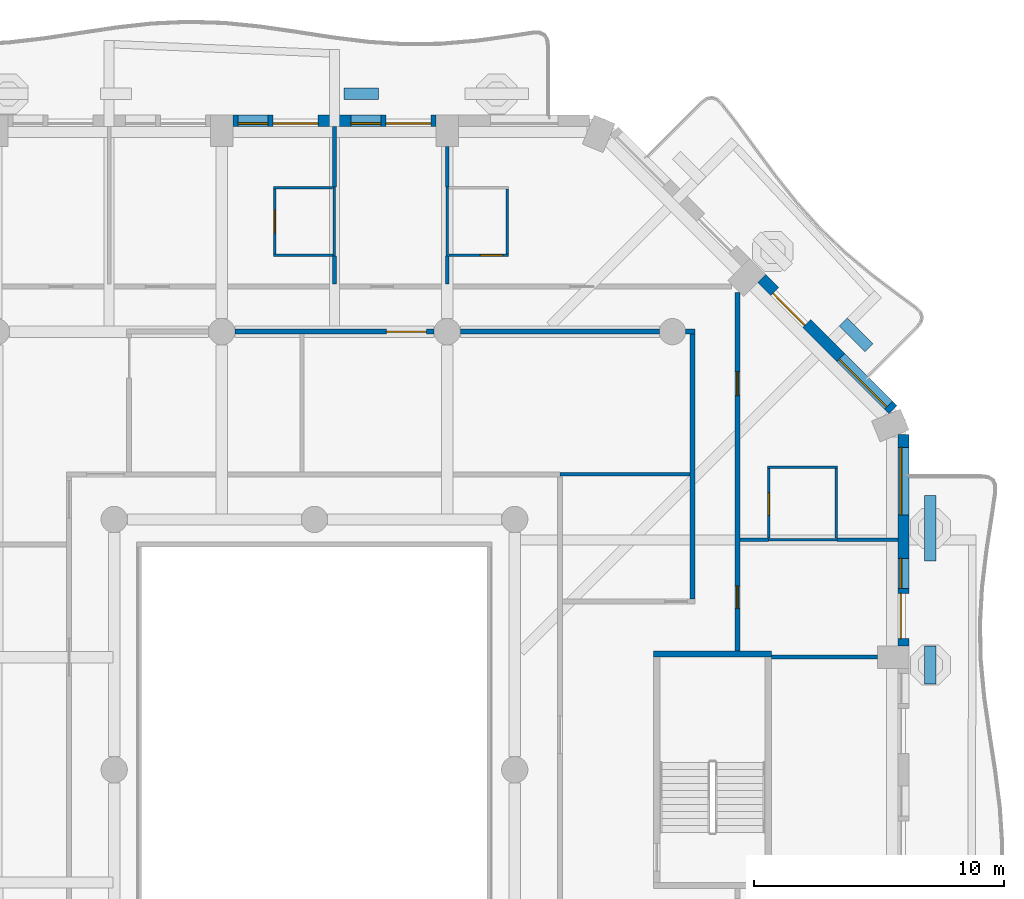
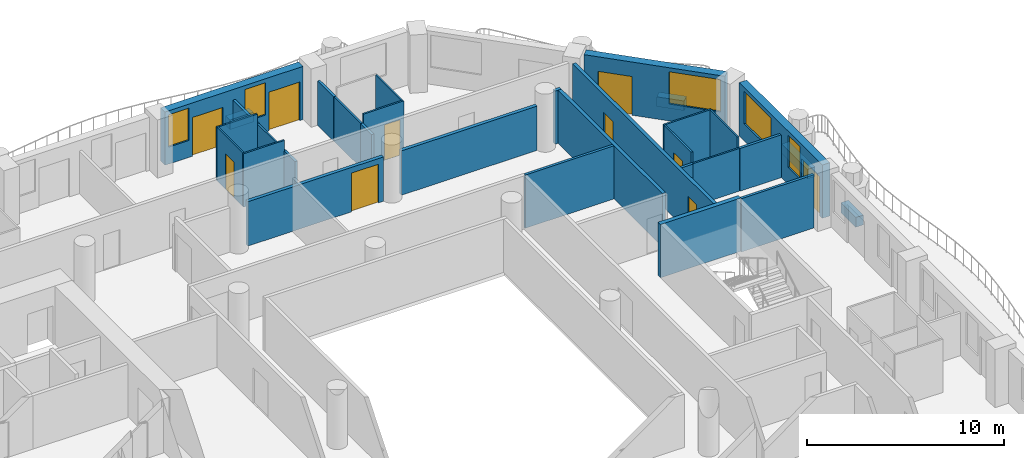
# One storey, part 9 of 20: 32 walls, 10 doors, 5 windows, 15 openings.
"""IFC4 building model written with IfcOpenShell, lengths in metres."""

from ifc_helpers import new_model, si_unit, direction, frame, frame_2d, origin, place, context, subcontext, project, spatial, rectangle, extrude, material, layer, layer_set, type_object, element, fill, save


model = new_model("IFC4")

# Units and contexts
model_context = context("Model", 3, precision=1e-05, world=origin(), true_north=direction((0.0, 1.0)))
body_context = subcontext(model_context, "Body", "Model", "MODEL_VIEW")
ifc_project = project(units=[si_unit("LENGTHUNIT", "METRE"), si_unit("AREAUNIT", "SQUARE_METRE"), si_unit("VOLUMEUNIT", "CUBIC_METRE"), si_unit("PLANEANGLEUNIT", "RADIAN"), si_unit("MASSUNIT", "GRAM", prefix="KILO")], contexts=[model_context])

# Site, building, storey
site_placement = place(None, origin())
site = spatial("IfcSite", under=ifc_project, at=site_placement, CompositionType="ELEMENT")
building_placement = place(site_placement, origin())
building = spatial("IfcBuilding", under=site, at=building_placement, Name="Cypress Arch Tower", CompositionType="ELEMENT")
storey_placement = place(building_placement, frame((0.0, 0.0, 123.89990234375)))
storey = spatial("IfcBuildingStorey", under=building, at=storey_placement, Name="L26", CompositionType="ELEMENT", Elevation=123.89990234375)

# Walls
ifc_material_1 = material(Name="Concrete C40/50, waterproofed", Category="concrete")
ifc_layer_1 = layer(ifc_material_1, 0.449951171875)
ifc_layer_set_1 = layer_set([ifc_layer_1], Name="Balcony planter wall PW450")
wall_type_1 = type_object("IfcWallType", Name="Balcony planter wall PW450", PredefinedType="SOLIDWALL", material=ifc_layer_set_1)
wall_1_placement = place(storey_placement, frame((25.60009765625, 3.42138671875, 0.0), z_axis=(0.0, 0.0, 1.0), x_axis=(0.0, 1.0, 0.0)))
element("IfcWall", 1, at=wall_1_placement, inside=storey, type_object=wall_type_1, Name="Balcony planter wall L26-A06.3", PredefinedType="SOLIDWALL", context=body_context, shape_type="SweptSolid", body=[
    extrude(rectangle(XDim=1.5224609375, YDim=0.449951171875, at=frame_2d((0.76123046875, 0.0))), origin(), (0.0, 0.0, 1.0), 0.60009765625),
])
wall_2_placement = place(storey_placement, frame((25.60009765625, 8.335693359375, 0.0), z_axis=(0.0, 0.0, 1.0), x_axis=(0.0, 1.0, 0.0)))
element("IfcWall", 2, at=wall_2_placement, inside=storey, type_object=wall_type_1, Name="Balcony planter wall L26-A06.4", PredefinedType="SOLIDWALL", context=body_context, shape_type="SweptSolid", body=[
    extrude(rectangle(XDim=2.6142578125, YDim=0.449951171875, at=frame_2d((1.30712890625, 0.0))), origin(), (0.0, 0.0, 1.0), 0.60009765625),
])
wall_3_placement = place(storey_placement, frame((23.150390625, 16.86376953125, 0.0), z_axis=(0.0, 0.0, 1.0), x_axis=(-0.707106781187, 0.707106781187, 0.0)))
element("IfcWall", 3, at=wall_3_placement, inside=storey, type_object=wall_type_1, Name="Balcony planter wall L26-A07.1", PredefinedType="SOLIDWALL", context=body_context, shape_type="SweptSolid", body=[
    extrude(rectangle(XDim=1.44482421875, YDim=0.449951171875, at=frame_2d((0.722412109375, 0.0))), origin(), (0.0, 0.0, 1.0), 0.60009765625),
])
wall_4_placement = place(storey_placement, frame((3.550048828125, 27.0, 0.0), z_axis=(0.0, 0.0, 1.0), x_axis=(-1.0, 0.0, 0.0)))
element("IfcWall", 4, at=wall_4_placement, inside=storey, type_object=wall_type_1, Name="Balcony planter wall L26-A08.2", PredefinedType="SOLIDWALL", context=body_context, shape_type="SweptSolid", body=[
    extrude(rectangle(XDim=1.375, YDim=0.449951171875, at=frame_2d((0.6875, 0.0))), origin(), (0.0, 0.0, 1.0), 0.60009765625),
])

# Wall, openings, door, windows
ifc_material_2 = material(Name="Brick (red buff blend)", Category="masonry")
ifc_layer_2 = layer(ifc_material_2, 0.449951171875)
ifc_layer_set_2 = layer_set([ifc_layer_2], Name="Brick pier and spandrel wall BW450")
wall_type_2 = type_object("IfcWallType", Name="Brick pier and spandrel wall BW450", PredefinedType="SOLIDWALL", material=ifc_layer_set_2)
wall_5_placement = place(storey_placement, frame((24.52490234375, 4.949951171875, 0.0), z_axis=(0.0, 0.0, 1.0), x_axis=(0.0, 1.0, 0.0)))
wall_5 = element("IfcWall", 5, at=wall_5_placement, inside=storey, type_object=wall_type_2, Name="Brick wall L26 A06.3", PredefinedType="SOLIDWALL", context=body_context, shape_type="SweptSolid", body=[
    extrude(rectangle(XDim=8.438720703125, YDim=0.449951171875, at=frame_2d((4.21923828125, 0.0))), origin(), (0.0, 0.0, 1.0), 3.300048828125),
])
opening_1_placement = place(wall_5_placement, frame((0.2939453125, 0.0, 0.0)))
opening_1 = element("IfcOpeningElement", 6, at=opening_1_placement, cuts=wall_5, Name="Opening D-L26-A06.3.1", PredefinedType="OPENING", context=body_context, shape_type="SweptSolid", body=[
    extrude(rectangle(XDim=1.800048828125, YDim=2.39990234375, at=frame_2d((0.89990234375, 1.199951171875))), frame((0.0, 0.23486328125, 0.0), z_axis=(0.0, -1.0, 0.0), x_axis=(1.0, 0.0, 0.0)), (0.0, 0.0, 1.0), 0.469970703125),
])
opening_2_placement = place(wall_5_placement, frame((2.2939453125, 0.0, 1.050048828125)))
opening_2 = element("IfcOpeningElement", 7, at=opening_2_placement, cuts=wall_5, Name="Opening W120HD", PredefinedType="OPENING", context=body_context, shape_type="SweptSolid", body=[
    extrude(rectangle(XDim=1.199951171875, YDim=2.0, at=frame_2d((0.60009765625, 1.0))), frame((0.0, 0.23486328125, 0.0), z_axis=(0.0, -1.0, 0.0), x_axis=(1.0, 0.0, 0.0)), (0.0, 0.0, 1.0), 0.469970703125),
])
opening_3_placement = place(wall_5_placement, frame((5.231689453125, 0.0, 1.050048828125)))
opening_3 = element("IfcOpeningElement", 8, at=opening_3_placement, cuts=wall_5, Name="Opening W270HD", PredefinedType="OPENING", context=body_context, shape_type="SweptSolid", body=[
    extrude(rectangle(XDim=2.699951171875, YDim=2.0, at=frame_2d((1.35009765625, 1.0))), frame((0.0, 0.23486328125, 0.0), z_axis=(0.0, -1.0, 0.0), x_axis=(1.0, 0.0, 0.0)), (0.0, 0.0, 1.0), 0.469970703125),
])
ifc_material_3 = material(Name="Anodised aluminium, bronze finish, laminated low-emissivity double glazing, large-missile impact rated", Category="aluminium")
door_type_1 = type_object("IfcDoorType", Name="Balcony sliding door 1800x2400", OperationType="SLIDING_TO_LEFT", PredefinedType="DOOR", material=ifc_material_3)
door_1_placement = place(opening_1_placement, origin())
door_1 = element("IfcDoor", 9, at=door_1_placement, inside=storey, type_object=door_type_1, Name="Balcony door L26 A06.3.1", OperationType="SLIDING_TO_LEFT", OverallHeight=2.39990234375, OverallWidth=1.800048828125, PredefinedType="DOOR", context=body_context, shape_type="SweptSolid", body=[
    extrude(rectangle(XDim=1.800048828125, YDim=2.39990234375, at=frame_2d((0.89990234375, 1.199951171875))), frame((0.0, 0.1298828125, 0.0), z_axis=(0.0, -1.0, 0.0), x_axis=(1.0, 0.0, 0.0)), (0.0, 0.0, 1.0), 0.050048828125),
])
fill(opening_1, door_1)
ifc_material_4 = material(Name="Anodised aluminium, bronze finish, laminated low-emissivity double glazing, large-missile impact rated", Category="aluminium")
window_type_1 = type_object("IfcWindowType", Name="Window Hotel 1200x2000 debris-rated", PartitioningType="SINGLE_PANEL", PredefinedType="WINDOW", material=ifc_material_4)
window_1_placement = place(opening_2_placement, origin())
window_1 = element("IfcWindow", 10, at=window_1_placement, inside=storey, type_object=window_type_1, Name="Window L26 A06.3.1", OverallHeight=2.0, OverallWidth=1.199951171875, PartitioningType="SINGLE_PANEL", PredefinedType="WINDOW", context=body_context, shape_type="SweptSolid", body=[
    extrude(rectangle(XDim=1.199951171875, YDim=2.0, at=frame_2d((0.60009765625, 1.0))), frame((0.0, 0.135009765625, 0.0), z_axis=(0.0, -1.0, 0.0), x_axis=(1.0, 0.0, 0.0)), (0.0, 0.0, 1.0), 0.06005859375),
])
fill(opening_2, window_1)
ifc_material_5 = material(Name="Anodised aluminium, bronze finish, laminated low-emissivity double glazing, large-missile impact rated", Category="aluminium")
window_type_2 = type_object("IfcWindowType", Name="Window Hotel 2700x2000 debris-rated", PartitioningType="SINGLE_PANEL", PredefinedType="WINDOW", material=ifc_material_5)
window_2_placement = place(opening_3_placement, origin())
window_2 = element("IfcWindow", 11, at=window_2_placement, inside=storey, type_object=window_type_2, Name="Window L26 A06.3.2", OverallHeight=2.0, OverallWidth=2.699951171875, PartitioningType="SINGLE_PANEL", PredefinedType="WINDOW", context=body_context, shape_type="SweptSolid", body=[
    extrude(rectangle(XDim=2.699951171875, YDim=2.0, at=frame_2d((1.35009765625, 1.0))), frame((0.0, 0.135009765625, 0.0), z_axis=(0.0, -1.0, 0.0), x_axis=(1.0, 0.0, 0.0)), (0.0, 0.0, 1.0), 0.06005859375),
])
fill(opening_3, window_2)

# Wall, openings, door, window
wall_6_placement = place(storey_placement, frame((24.11474609375, 14.379150390625, 0.0), z_axis=(0.0, 0.0, 1.0), x_axis=(-0.707106781187, 0.707106781187, 0.0)))
wall_6 = element("IfcWall", 12, at=wall_6_placement, inside=storey, type_object=wall_type_2, Name="Brick wall L26 A07.0", PredefinedType="SOLIDWALL", context=body_context, shape_type="SweptSolid", body=[
    extrude(rectangle(XDim=7.423828125, YDim=0.449951171875, at=frame_2d((3.7119140625, 0.0))), origin(), (0.0, 0.0, 1.0), 3.300048828125),
])
opening_4_placement = place(wall_6_placement, frame((0.253173828125, 0.0, 1.050048828125)))
opening_4 = element("IfcOpeningElement", 13, at=opening_4_placement, cuts=wall_6, Name="Opening W270HD", PredefinedType="OPENING", context=body_context, shape_type="SweptSolid", body=[
    extrude(rectangle(XDim=2.699951171875, YDim=2.0, at=frame_2d((1.35009765625, 1.0))), frame((0.0, 0.23486328125, 0.0), z_axis=(0.0, -1.0, 0.0), x_axis=(1.0, 0.0, 0.0)), (0.0, 0.0, 1.0), 0.469970703125),
])
opening_5_placement = place(wall_6_placement, frame((4.8837890625, 0.0, 0.0)))
opening_5 = element("IfcOpeningElement", 14, at=opening_5_placement, cuts=wall_6, Name="Opening D-L26-A07.0.2", PredefinedType="OPENING", context=body_context, shape_type="SweptSolid", body=[
    extrude(rectangle(XDim=1.800048828125, YDim=2.39990234375, at=frame_2d((0.89990234375, 1.199951171875))), frame((0.0, 0.23486328125, 0.0), z_axis=(0.0, -1.0, 0.0), x_axis=(1.0, 0.0, 0.0)), (0.0, 0.0, 1.0), 0.469970703125),
])
door_2_placement = place(opening_5_placement, origin())
door_2 = element("IfcDoor", 15, at=door_2_placement, inside=storey, type_object=door_type_1, Name="Balcony door L26 A07.0.2", OperationType="SLIDING_TO_LEFT", OverallHeight=2.39990234375, OverallWidth=1.800048828125, PredefinedType="DOOR", context=body_context, shape_type="SweptSolid", body=[
    extrude(rectangle(XDim=1.800048828125, YDim=2.39990234375, at=frame_2d((0.89990234375, 1.199951171875))), frame((0.0, 0.1298828125, 0.0), z_axis=(0.0, -1.0, 0.0), x_axis=(1.0, 0.0, 0.0)), (0.0, 0.0, 1.0), 0.050048828125),
])
fill(opening_5, door_2)
window_3_placement = place(opening_4_placement, origin())
window_3 = element("IfcWindow", 16, at=window_3_placement, inside=storey, type_object=window_type_2, Name="Window L26 A07.0.1", OverallHeight=2.0, OverallWidth=2.699951171875, PartitioningType="SINGLE_PANEL", PredefinedType="WINDOW", context=body_context, shape_type="SweptSolid", body=[
    extrude(rectangle(XDim=2.699951171875, YDim=2.0, at=frame_2d((1.35009765625, 1.0))), frame((0.0, 0.135009765625, 0.0), z_axis=(0.0, -1.0, 0.0), x_axis=(1.0, 0.0, 0.0)), (0.0, 0.0, 1.0), 0.06005859375),
])
fill(opening_4, window_3)

# Wall, openings, doors, windows
wall_7_placement = place(storey_placement, frame((5.85009765625, 25.925048828125, 0.0), z_axis=(0.0, 0.0, 1.0), x_axis=(-1.0, 0.0, 0.0)))
wall_7 = element("IfcWall", 17, at=wall_7_placement, inside=storey, type_object=wall_type_2, Name="Brick wall L26 A08.1", PredefinedType="SOLIDWALL", context=body_context, shape_type="SweptSolid", body=[
    extrude(rectangle(XDim=8.10009765625, YDim=0.449951171875, at=frame_2d((4.050048828125, 0.0))), origin(), (0.0, 0.0, 1.0), 3.300048828125),
])
opening_6_placement = place(wall_7_placement, frame((0.199951171875, 0.0, 0.0)))
opening_6 = element("IfcOpeningElement", 18, at=opening_6_placement, cuts=wall_7, Name="Opening D-L26-A08.1.1", PredefinedType="OPENING", context=body_context, shape_type="SweptSolid", body=[
    extrude(rectangle(XDim=1.800048828125, YDim=2.39990234375, at=frame_2d((0.89990234375, 1.199951171875))), frame((0.0, 0.23486328125, 0.0), z_axis=(0.0, -1.0, 0.0), x_axis=(1.0, 0.0, 0.0)), (0.0, 0.0, 1.0), 0.469970703125),
])
opening_7_placement = place(wall_7_placement, frame((2.199951171875, 0.0, 1.050048828125)))
opening_7 = element("IfcOpeningElement", 19, at=opening_7_placement, cuts=wall_7, Name="Opening W120HD", PredefinedType="OPENING", context=body_context, shape_type="SweptSolid", body=[
    extrude(rectangle(XDim=1.199951171875, YDim=2.0, at=frame_2d((0.60009765625, 1.0))), frame((0.0, 0.23486328125, 0.0), z_axis=(0.0, -1.0, 0.0), x_axis=(1.0, 0.0, 0.0)), (0.0, 0.0, 1.0), 0.469970703125),
])
opening_8_placement = place(wall_7_placement, frame((4.699951171875, 0.0, 0.0)))
opening_8 = element("IfcOpeningElement", 20, at=opening_8_placement, cuts=wall_7, Name="Opening D-L26-A08.1.2", PredefinedType="OPENING", context=body_context, shape_type="SweptSolid", body=[
    extrude(rectangle(XDim=1.800048828125, YDim=2.39990234375, at=frame_2d((0.89990234375, 1.199951171875))), frame((0.0, 0.23486328125, 0.0), z_axis=(0.0, -1.0, 0.0), x_axis=(1.0, 0.0, 0.0)), (0.0, 0.0, 1.0), 0.469970703125),
])
opening_9_placement = place(wall_7_placement, frame((6.699951171875, 0.0, 1.050048828125)))
opening_9 = element("IfcOpeningElement", 21, at=opening_9_placement, cuts=wall_7, Name="Opening W120HD", PredefinedType="OPENING", context=body_context, shape_type="SweptSolid", body=[
    extrude(rectangle(XDim=1.199951171875, YDim=2.0, at=frame_2d((0.60009765625, 1.0))), frame((0.0, 0.23486328125, 0.0), z_axis=(0.0, -1.0, 0.0), x_axis=(1.0, 0.0, 0.0)), (0.0, 0.0, 1.0), 0.469970703125),
])
door_3_placement = place(opening_6_placement, origin())
door_3 = element("IfcDoor", 22, at=door_3_placement, inside=storey, type_object=door_type_1, Name="Balcony door L26 A08.1.1", OperationType="SLIDING_TO_LEFT", OverallHeight=2.39990234375, OverallWidth=1.800048828125, PredefinedType="DOOR", context=body_context, shape_type="SweptSolid", body=[
    extrude(rectangle(XDim=1.800048828125, YDim=2.39990234375, at=frame_2d((0.89990234375, 1.199951171875))), frame((0.0, 0.1298828125, 0.0), z_axis=(0.0, -1.0, 0.0), x_axis=(1.0, 0.0, 0.0)), (0.0, 0.0, 1.0), 0.050048828125),
])
fill(opening_6, door_3)
door_4_placement = place(opening_8_placement, origin())
door_4 = element("IfcDoor", 23, at=door_4_placement, inside=storey, type_object=door_type_1, Name="Balcony door L26 A08.1.2", OperationType="SLIDING_TO_LEFT", OverallHeight=2.39990234375, OverallWidth=1.800048828125, PredefinedType="DOOR", context=body_context, shape_type="SweptSolid", body=[
    extrude(rectangle(XDim=1.800048828125, YDim=2.39990234375, at=frame_2d((0.89990234375, 1.199951171875))), frame((0.0, 0.1298828125, 0.0), z_axis=(0.0, -1.0, 0.0), x_axis=(1.0, 0.0, 0.0)), (0.0, 0.0, 1.0), 0.050048828125),
])
fill(opening_8, door_4)
window_4_placement = place(opening_7_placement, origin())
window_4 = element("IfcWindow", 24, at=window_4_placement, inside=storey, type_object=window_type_1, Name="Window L26 A08.1.1", OverallHeight=2.0, OverallWidth=1.199951171875, PartitioningType="SINGLE_PANEL", PredefinedType="WINDOW", context=body_context, shape_type="SweptSolid", body=[
    extrude(rectangle(XDim=1.199951171875, YDim=2.0, at=frame_2d((0.60009765625, 1.0))), frame((0.0, 0.135009765625, 0.0), z_axis=(0.0, -1.0, 0.0), x_axis=(1.0, 0.0, 0.0)), (0.0, 0.0, 1.0), 0.06005859375),
])
fill(opening_7, window_4)
window_5_placement = place(opening_9_placement, origin())
window_5 = element("IfcWindow", 25, at=window_5_placement, inside=storey, type_object=window_type_1, Name="Window L26 A08.1.2", OverallHeight=2.0, OverallWidth=1.199951171875, PartitioningType="SINGLE_PANEL", PredefinedType="WINDOW", context=body_context, shape_type="SweptSolid", body=[
    extrude(rectangle(XDim=1.199951171875, YDim=2.0, at=frame_2d((0.60009765625, 1.0))), frame((0.0, 0.135009765625, 0.0), z_axis=(0.0, -1.0, 0.0), x_axis=(1.0, 0.0, 0.0)), (0.0, 0.0, 1.0), 0.06005859375),
])
fill(opening_9, window_5)

# Wall, opening, door
ifc_material_6 = material(Name="Concrete blockwork, plastered, rated", Category="masonry")
ifc_layer_3 = layer(ifc_material_6, 0.199951171875)
ifc_layer_set_3 = layer_set([ifc_layer_3], Name="Corridor wall FW200")
wall_type_3 = type_object("IfcWallType", Name="Corridor wall FW200", PredefinedType="PARTITIONING", material=ifc_layer_set_3)
wall_8_placement = place(storey_placement, frame((-2.175048828125, 17.5, 0.0), z_axis=(0.0, 0.0, 1.0), x_axis=(1.0, 0.0, 0.0)))
wall_8 = element("IfcWall", 26, at=wall_8_placement, inside=storey, type_object=wall_type_3, Name="Corridor wall", PredefinedType="PARTITIONING", context=body_context, shape_type="SweptSolid", body=[
    extrude(rectangle(XDim=7.949951171875, YDim=0.199951171875, at=frame_2d((3.97509765625, 0.0))), origin(), (0.0, 0.0, 1.0), 2.75),
])
opening_10_placement = place(wall_8_placement, frame((6.050048828125, 0.0, 0.0)))
opening_10 = element("IfcOpeningElement", 27, at=opening_10_placement, cuts=wall_8, Name="Opening D10", PredefinedType="OPENING", context=body_context, shape_type="SweptSolid", body=[
    extrude(rectangle(XDim=1.60009765625, YDim=2.39990234375, at=frame_2d((0.800048828125, 1.199951171875))), frame((0.0, 0.10986328125, 0.0), z_axis=(0.0, -1.0, 0.0), x_axis=(1.0, 0.0, 0.0)), (0.0, 0.0, 1.0), 0.219970703125),
])
ifc_material_7 = material(Name="Black aluminium glazed door", Category="aluminium")
door_type_2 = type_object("IfcDoorType", Name="Amenity door D10 1600x2400", OperationType="DOUBLE_DOOR_SINGLE_SWING", PredefinedType="DOOR", material=ifc_material_7)
door_5_placement = place(opening_10_placement, origin())
door_5 = element("IfcDoor", 28, at=door_5_placement, inside=storey, type_object=door_type_2, Name="Amenity door", OperationType="DOUBLE_DOOR_SINGLE_SWING", OverallHeight=2.39990234375, OverallWidth=1.60009765625, PredefinedType="DOOR", context=body_context, shape_type="SweptSolid", body=[
    extrude(rectangle(XDim=1.60009765625, YDim=2.39990234375, at=frame_2d((0.800048828125, 1.199951171875))), frame((0.0, 0.02490234375, 0.0), z_axis=(0.0, -1.0, 0.0), x_axis=(1.0, 0.0, 0.0)), (0.0, 0.0, 1.0), 0.050048828125),
])
fill(opening_10, door_5)

# Walls
wall_9_placement = place(storey_placement, frame((6.824951171875, 17.5, 0.0), z_axis=(0.0, 0.0, 1.0), x_axis=(1.0, 0.0, 0.0)))
element("IfcWall", 29, at=wall_9_placement, inside=storey, type_object=wall_type_3, Name="Corridor wall", PredefinedType="PARTITIONING", context=body_context, shape_type="SweptSolid", body=[
    extrude(rectangle(XDim=7.949951171875, YDim=0.199951171875, at=frame_2d((3.97509765625, 0.0))), origin(), (0.0, 0.0, 1.0), 2.75),
])
wall_10_placement = place(storey_placement, frame((15.824951171875, 17.5, 0.0), z_axis=(0.0, 0.0, 1.0), x_axis=(1.0, 0.0, 0.0)))
element("IfcWall", 30, at=wall_10_placement, inside=storey, type_object=wall_type_3, Name="Corridor wall", PredefinedType="PARTITIONING", context=body_context, shape_type="SweptSolid", body=[
    extrude(rectangle(XDim=0.375, YDim=0.199951171875, at=frame_2d((0.1875, 0.0))), origin(), (0.0, 0.0, 1.0), 3.300048828125),
])
wall_11_placement = place(storey_placement, frame((16.10009765625, 6.824951171875, 0.0), z_axis=(0.0, 0.0, 1.0), x_axis=(0.0, 1.0, 0.0)))
element("IfcWall", 31, at=wall_11_placement, inside=storey, type_object=wall_type_3, Name="Corridor wall", PredefinedType="PARTITIONING", context=body_context, shape_type="SweptSolid", body=[
    extrude(rectangle(XDim=10.574951171875, YDim=0.199951171875, at=frame_2d((5.28759765625, 0.0))), origin(), (0.0, 0.0, 1.0), 3.300048828125),
])

# Wall, openings, doors
wall_12_placement = place(storey_placement, frame((17.89990234375, 4.75, 0.0), z_axis=(0.0, 0.0, 1.0), x_axis=(0.0, 1.0, 0.0)))
wall_12 = element("IfcWall", 32, at=wall_12_placement, inside=storey, type_object=wall_type_3, Name="Corridor wall", PredefinedType="PARTITIONING", context=body_context, shape_type="SweptSolid", body=[
    extrude(rectangle(XDim=14.314453125, YDim=0.199951171875, at=frame_2d((7.1572265625, 0.0))), origin(), (0.0, 0.0, 1.0), 3.300048828125),
])
opening_11_placement = place(wall_12_placement, frame((1.699951171875, 0.0, 0.0)))
opening_11 = element("IfcOpeningElement", 33, at=opening_11_placement, cuts=wall_12, Name="Opening D05", PredefinedType="OPENING", context=body_context, shape_type="SweptSolid", body=[
    extrude(rectangle(XDim=0.89990234375, YDim=2.199951171875, at=frame_2d((0.449951171875, 1.10009765625))), frame((0.0, 0.10986328125, 0.0), z_axis=(0.0, -1.0, 0.0), x_axis=(1.0, 0.0, 0.0)), (0.0, 0.0, 1.0), 0.219970703125),
])
opening_12_placement = place(wall_12_placement, frame((10.199951171875, 0.0, 0.0)))
opening_12 = element("IfcOpeningElement", 34, at=opening_12_placement, cuts=wall_12, Name="Opening D02", PredefinedType="OPENING", context=body_context, shape_type="SweptSolid", body=[
    extrude(rectangle(XDim=0.949951171875, YDim=2.199951171875, at=frame_2d((0.47509765625, 1.10009765625))), frame((0.0, 0.10986328125, 0.0), z_axis=(0.0, -1.0, 0.0), x_axis=(1.0, 0.0, 0.0)), (0.0, 0.0, 1.0), 0.219970703125),
])
ifc_material_8 = material(Name="Timber flush door, fire resisting", Category="wood")
door_type_3 = type_object("IfcDoorType", Name="Room door D02 950x2200", OperationType="SINGLE_SWING_LEFT", PredefinedType="DOOR", material=ifc_material_8)
door_6_placement = place(opening_12_placement, origin())
door_6 = element("IfcDoor", 35, at=door_6_placement, inside=storey, type_object=door_type_3, Name="Room door", OperationType="SINGLE_SWING_LEFT", OverallHeight=2.199951171875, OverallWidth=0.949951171875, PredefinedType="DOOR", context=body_context, shape_type="SweptSolid", body=[
    extrude(rectangle(XDim=0.949951171875, YDim=2.199951171875, at=frame_2d((0.47509765625, 1.10009765625))), frame((0.0, 0.02490234375, 0.0), z_axis=(0.0, -1.0, 0.0), x_axis=(1.0, 0.0, 0.0)), (0.0, 0.0, 1.0), 0.050048828125),
])
fill(opening_12, door_6)
ifc_material_9 = material(Name="Timber flush door", Category="wood")
door_type_4 = type_object("IfcDoorType", Name="Service door D05 900x2200", OperationType="SINGLE_SWING_LEFT", PredefinedType="DOOR", material=ifc_material_9)
door_7_placement = place(opening_11_placement, origin())
door_7 = element("IfcDoor", 36, at=door_7_placement, inside=storey, type_object=door_type_4, Name="Service door", OperationType="SINGLE_SWING_RIGHT", OverallHeight=2.199951171875, OverallWidth=0.89990234375, PredefinedType="DOOR", context=body_context, shape_type="SweptSolid", body=[
    extrude(rectangle(XDim=0.89990234375, YDim=2.199951171875, at=frame_2d((0.449951171875, 1.10009765625))), frame((0.0, 0.02490234375, 0.0), z_axis=(0.0, -1.0, 0.0), x_axis=(1.0, 0.0, 0.0)), (0.0, 0.0, 1.0), 0.050048828125),
])
fill(opening_11, door_7)

# Walls
ifc_material_10 = material(Name="Blockwork, plastered both sides", Category="masonry")
ifc_layer_4 = layer(ifc_material_10, 0.14990234375)
ifc_layer_set_4 = layer_set([ifc_layer_4], Name="Partition PW150")
wall_type_4 = type_object("IfcWallType", Name="Partition PW150", PredefinedType="PARTITIONING", material=ifc_layer_set_4)
wall_13_placement = place(storey_placement, frame((1.800048828125, 19.39990234375, 0.0), z_axis=(0.0, 0.0, 1.0), x_axis=(0.0, 1.0, 0.0)))
element("IfcWall", 37, at=wall_13_placement, inside=storey, type_object=wall_type_4, Name="Partition", PredefinedType="PARTITIONING", context=body_context, shape_type="SweptSolid", body=[
    extrude(rectangle(XDim=1.130126953125, YDim=0.14990234375, at=frame_2d((0.56494140625, 0.0))), origin(), (0.0, 0.0, 1.0), 2.650146484375),
])
wall_14_placement = place(storey_placement, frame((1.800048828125, 23.27001953125, 0.0), z_axis=(0.0, 0.0, 1.0), x_axis=(0.0, 1.0, 0.0)))
element("IfcWall", 38, at=wall_14_placement, inside=storey, type_object=wall_type_4, Name="Partition", PredefinedType="PARTITIONING", context=body_context, shape_type="SweptSolid", body=[
    extrude(rectangle(XDim=2.429931640625, YDim=0.14990234375, at=frame_2d((1.21484375, 0.0))), origin(), (0.0, 0.0, 1.0), 2.650146484375),
])
wall_15_placement = place(storey_placement, frame((6.300048828125, 19.39990234375, 0.0), z_axis=(0.0, 0.0, 1.0), x_axis=(0.0, 1.0, 0.0)))
element("IfcWall", 39, at=wall_15_placement, inside=storey, type_object=wall_type_4, Name="Partition", PredefinedType="PARTITIONING", context=body_context, shape_type="SweptSolid", body=[
    extrude(rectangle(XDim=1.130126953125, YDim=0.14990234375, at=frame_2d((0.56494140625, 0.0))), origin(), (0.0, 0.0, 1.0), 2.75),
])
wall_16_placement = place(storey_placement, frame((6.300048828125, 23.27001953125, 0.0), z_axis=(0.0, 0.0, 1.0), x_axis=(0.0, 1.0, 0.0)))
element("IfcWall", 40, at=wall_16_placement, inside=storey, type_object=wall_type_4, Name="Partition", PredefinedType="PARTITIONING", context=body_context, shape_type="SweptSolid", body=[
    extrude(rectangle(XDim=1.6298828125, YDim=0.14990234375, at=frame_2d((0.81494140625, 0.0))), origin(), (0.0, 0.0, 1.0), 2.75),
])
wall_17_placement = place(storey_placement, frame((10.800048828125, 11.800048828125, 0.0), z_axis=(0.0, 0.0, 1.0), x_axis=(1.0, 0.0, 0.0)))
element("IfcWall", 41, at=wall_17_placement, inside=storey, type_object=wall_type_4, Name="Partition", PredefinedType="PARTITIONING", context=body_context, shape_type="SweptSolid", body=[
    extrude(rectangle(XDim=5.199951171875, YDim=0.14990234375, at=frame_2d((2.60009765625, 0.0))), origin(), (0.0, 0.0, 1.0), 3.300048828125),
])
wall_18_placement = place(storey_placement, frame((18.0, 9.18994140625, 0.0), z_axis=(0.0, 0.0, 1.0), x_axis=(1.0, 0.0, 0.0)))
element("IfcWall", 42, at=wall_18_placement, inside=storey, type_object=wall_type_4, Name="Partition", PredefinedType="PARTITIONING", context=body_context, shape_type="SweptSolid", body=[
    extrude(rectangle(XDim=1.1298828125, YDim=0.14990234375, at=frame_2d((0.56494140625, 0.0))), origin(), (0.0, 0.0, 1.0), 2.650146484375),
])
wall_19_placement = place(storey_placement, frame((19.25, 4.5, 0.0), z_axis=(0.0, 0.0, 1.0), x_axis=(1.0, 0.0, 0.0)))
element("IfcWall", 43, at=wall_19_placement, inside=storey, type_object=wall_type_4, Name="Partition", PredefinedType="PARTITIONING", context=body_context, shape_type="SweptSolid", body=[
    extrude(rectangle(XDim=4.25, YDim=0.14990234375, at=frame_2d((2.125, 0.0))), origin(), (0.0, 0.0, 1.0), 3.300048828125),
])
wall_20_placement = place(storey_placement, frame((21.8701171875, 9.18994140625, 0.0), z_axis=(0.0, 0.0, 1.0), x_axis=(1.0, 0.0, 0.0)))
element("IfcWall", 44, at=wall_20_placement, inside=storey, type_object=wall_type_4, Name="Partition", PredefinedType="PARTITIONING", context=body_context, shape_type="SweptSolid", body=[
    extrude(rectangle(XDim=2.429931640625, YDim=0.14990234375, at=frame_2d((1.21484375, 0.0))), origin(), (0.0, 0.0, 1.0), 2.650146484375),
])
ifc_material_11 = material(Name="Concrete C50/60", Category="concrete")
ifc_layer_5 = layer(ifc_material_11, 0.25)
ifc_layer_set_5 = layer_set([ifc_layer_5], Name="Stair enclosure wall SW250")
wall_type_5 = type_object("IfcWallType", Name="Stair enclosure wall SW250", PredefinedType="SHEAR", material=ifc_layer_set_5)
wall_21_placement = place(storey_placement, frame((14.550048828125, 4.625, 0.0), z_axis=(0.0, 0.0, 1.0), x_axis=(1.0, 0.0, 0.0)))
element("IfcWall", 45, at=wall_21_placement, inside=storey, type_object=wall_type_5, Name="Stair enclosure wall", PredefinedType="SHEAR", context=body_context, shape_type="SweptSolid", body=[
    extrude(rectangle(XDim=4.699951171875, YDim=0.25, at=frame_2d((2.35009765625, 0.0))), origin(), (0.0, 0.0, 1.0), 3.300048828125),
])

# Wall, opening, door
ifc_material_12 = material(Name="Moisture resistant board on steel studs, tiled", Category="steel")
ifc_layer_6 = layer(ifc_material_12, 0.10009765625)
ifc_layer_set_6 = layer_set([ifc_layer_6], Name="Wet wall PW100")
wall_type_6 = type_object("IfcWallType", Name="Wet wall PW100", PredefinedType="PARTITIONING", material=ifc_layer_set_6)
wall_22_placement = place(storey_placement, frame((-0.595947265625, 20.60009765625, 0.0), z_axis=(0.0, 0.0, 1.0), x_axis=(0.0, 1.0, 0.0)))
wall_22 = element("IfcWall", 46, at=wall_22_placement, inside=storey, type_object=wall_type_6, Name="Wet wall", PredefinedType="PARTITIONING", context=body_context, shape_type="SweptSolid", body=[
    extrude(rectangle(XDim=2.599853515625, YDim=0.10009765625, at=frame_2d((1.2998046875, 0.0))), origin(), (0.0, 0.0, 1.0), 3.300048828125),
])
opening_13_placement = place(wall_22_placement, frame((0.85009765625, 0.0, 0.0)))
opening_13 = element("IfcOpeningElement", 47, at=opening_13_placement, cuts=wall_22, Name="Opening D03", PredefinedType="OPENING", context=body_context, shape_type="SweptSolid", body=[
    extrude(rectangle(XDim=0.89990234375, YDim=2.199951171875, at=frame_2d((0.449951171875, 1.10009765625))), frame((0.0, 0.06005859375, 0.0), z_axis=(0.0, -1.0, 0.0), x_axis=(1.0, 0.0, 0.0)), (0.0, 0.0, 1.0), 0.1201171875),
])
ifc_material_13 = material(Name="Timber flush door, moisture resistant", Category="wood")
door_type_5 = type_object("IfcDoorType", Name="Bathroom door D03 900x2200", OperationType="SINGLE_SWING_LEFT", PredefinedType="DOOR", material=ifc_material_13)
door_8_placement = place(opening_13_placement, origin())
door_8 = element("IfcDoor", 48, at=door_8_placement, inside=storey, type_object=door_type_5, Name="Bathroom door", OperationType="SINGLE_SWING_LEFT", OverallHeight=2.199951171875, OverallWidth=0.89990234375, PredefinedType="DOOR", context=body_context, shape_type="SweptSolid", body=[
    extrude(rectangle(XDim=0.89990234375, YDim=2.199951171875, at=frame_2d((0.449951171875, 1.10009765625))), frame((0.0, 0.02490234375, 0.0), z_axis=(0.0, -1.0, 0.0), x_axis=(1.0, 0.0, 0.0)), (0.0, 0.0, 1.0), 0.050048828125),
])
fill(opening_13, door_8)

# Walls
wall_23_placement = place(storey_placement, frame((-0.64599609375, 20.550048828125, 0.0), z_axis=(0.0, 0.0, 1.0), x_axis=(1.0, 0.0, 0.0)))
element("IfcWall", 49, at=wall_23_placement, inside=storey, type_object=wall_type_6, Name="Wet wall", PredefinedType="PARTITIONING", context=body_context, shape_type="SweptSolid", body=[
    extrude(rectangle(XDim=2.39599609375, YDim=0.10009765625, at=frame_2d((1.197998046875, 0.0))), origin(), (0.0, 0.0, 1.0), 3.300048828125),
])
wall_24_placement = place(storey_placement, frame((-0.64599609375, 23.25, 0.0), z_axis=(0.0, 0.0, 1.0), x_axis=(1.0, 0.0, 0.0)))
element("IfcWall", 50, at=wall_24_placement, inside=storey, type_object=wall_type_6, Name="Wet wall", PredefinedType="PARTITIONING", context=body_context, shape_type="SweptSolid", body=[
    extrude(rectangle(XDim=2.37109375, YDim=0.10009765625, at=frame_2d((1.185546875, 0.0))), origin(), (0.0, 0.0, 1.0), 3.300048828125),
])
wall_25_placement = place(storey_placement, frame((1.800048828125, 20.530029296875, 0.0), z_axis=(0.0, 0.0, 1.0), x_axis=(0.0, 1.0, 0.0)))
element("IfcWall", 51, at=wall_25_placement, inside=storey, type_object=wall_type_6, Name="Wet wall", PredefinedType="PARTITIONING", context=body_context, shape_type="SweptSolid", body=[
    extrude(rectangle(XDim=2.739990234375, YDim=0.10009765625, at=frame_2d((1.3701171875, 0.0))), origin(), (0.0, 0.0, 1.0), 2.650146484375),
])
wall_26_placement = place(storey_placement, frame((6.300048828125, 20.530029296875, 0.0), z_axis=(0.0, 0.0, 1.0), x_axis=(0.0, 1.0, 0.0)))
element("IfcWall", 52, at=wall_26_placement, inside=storey, type_object=wall_type_6, Name="Wet wall", PredefinedType="PARTITIONING", context=body_context, shape_type="SweptSolid", body=[
    extrude(rectangle(XDim=2.739990234375, YDim=0.10009765625, at=frame_2d((1.3701171875, 0.0))), origin(), (0.0, 0.0, 1.0), 2.75),
])

# Wall, opening, door
wall_27_placement = place(storey_placement, frame((6.375, 20.550048828125, 0.0), z_axis=(0.0, 0.0, 1.0), x_axis=(1.0, 0.0, 0.0)))
wall_27 = element("IfcWall", 53, at=wall_27_placement, inside=storey, type_object=wall_type_6, Name="Wet wall", PredefinedType="PARTITIONING", context=body_context, shape_type="SweptSolid", body=[
    extrude(rectangle(XDim=2.37109375, YDim=0.10009765625, at=frame_2d((1.185546875, 0.0))), origin(), (0.0, 0.0, 1.0), 3.300048828125),
])
opening_14_placement = place(wall_27_placement, frame((1.25, 0.0, 0.0)))
opening_14 = element("IfcOpeningElement", 54, at=opening_14_placement, cuts=wall_27, Name="Opening D03", PredefinedType="OPENING", context=body_context, shape_type="SweptSolid", body=[
    extrude(rectangle(XDim=0.89990234375, YDim=2.199951171875, at=frame_2d((0.449951171875, 1.10009765625))), frame((0.0, 0.06005859375, 0.0), z_axis=(0.0, -1.0, 0.0), x_axis=(1.0, 0.0, 0.0)), (0.0, 0.0, 1.0), 0.1201171875),
])
door_9_placement = place(opening_14_placement, origin())
door_9 = element("IfcDoor", 55, at=door_9_placement, inside=storey, type_object=door_type_5, Name="Bathroom door", OperationType="SINGLE_SWING_RIGHT", OverallHeight=2.199951171875, OverallWidth=0.89990234375, PredefinedType="DOOR", context=body_context, shape_type="SweptSolid", body=[
    extrude(rectangle(XDim=0.89990234375, YDim=2.199951171875, at=frame_2d((0.449951171875, 1.10009765625))), frame((0.0, 0.02490234375, 0.0), z_axis=(0.0, -1.0, 0.0), x_axis=(1.0, 0.0, 0.0)), (0.0, 0.0, 1.0), 0.050048828125),
])
fill(opening_14, door_9)

# Walls
wall_28_placement = place(storey_placement, frame((8.696044921875, 20.60009765625, 0.0), z_axis=(0.0, 0.0, 1.0), x_axis=(0.0, 1.0, 0.0)))
element("IfcWall", 56, at=wall_28_placement, inside=storey, type_object=wall_type_6, Name="Wet wall", PredefinedType="PARTITIONING", context=body_context, shape_type="SweptSolid", body=[
    extrude(rectangle(XDim=2.599853515625, YDim=0.10009765625, at=frame_2d((1.2998046875, 0.0))), origin(), (0.0, 0.0, 1.0), 3.300048828125),
])
wall_29_placement = place(storey_placement, frame((19.1298828125, 9.18994140625, 0.0), z_axis=(0.0, 0.0, 1.0), x_axis=(1.0, 0.0, 0.0)))
element("IfcWall", 57, at=wall_29_placement, inside=storey, type_object=wall_type_6, Name="Wet wall", PredefinedType="PARTITIONING", context=body_context, shape_type="SweptSolid", body=[
    extrude(rectangle(XDim=2.740234375, YDim=0.10009765625, at=frame_2d((1.3701171875, 0.0))), origin(), (0.0, 0.0, 1.0), 2.650146484375),
])

# Wall, opening, door
wall_30_placement = place(storey_placement, frame((19.14990234375, 9.264892578125, 0.0), z_axis=(0.0, 0.0, 1.0), x_axis=(0.0, 1.0, 0.0)))
wall_30 = element("IfcWall", 58, at=wall_30_placement, inside=storey, type_object=wall_type_6, Name="Wet wall", PredefinedType="PARTITIONING", context=body_context, shape_type="SweptSolid", body=[
    extrude(rectangle(XDim=2.77099609375, YDim=0.10009765625, at=frame_2d((1.385498046875, 0.0))), origin(), (0.0, 0.0, 1.0), 3.300048828125),
])
opening_15_placement = place(wall_30_placement, frame((0.89990234375, 0.0, 0.0)))
opening_15 = element("IfcOpeningElement", 59, at=opening_15_placement, cuts=wall_30, Name="Opening D03", PredefinedType="OPENING", context=body_context, shape_type="SweptSolid", body=[
    extrude(rectangle(XDim=0.89990234375, YDim=2.199951171875, at=frame_2d((0.449951171875, 1.10009765625))), frame((0.0, 0.06005859375, 0.0), z_axis=(0.0, -1.0, 0.0), x_axis=(1.0, 0.0, 0.0)), (0.0, 0.0, 1.0), 0.1201171875),
])
door_10_placement = place(opening_15_placement, origin())
door_10 = element("IfcDoor", 60, at=door_10_placement, inside=storey, type_object=door_type_5, Name="Bathroom door", OperationType="SINGLE_SWING_RIGHT", OverallHeight=2.199951171875, OverallWidth=0.89990234375, PredefinedType="DOOR", context=body_context, shape_type="SweptSolid", body=[
    extrude(rectangle(XDim=0.89990234375, YDim=2.199951171875, at=frame_2d((0.449951171875, 1.10009765625))), frame((0.0, 0.02490234375, 0.0), z_axis=(0.0, -1.0, 0.0), x_axis=(1.0, 0.0, 0.0)), (0.0, 0.0, 1.0), 0.050048828125),
])
fill(opening_15, door_10)

# Walls
wall_31_placement = place(storey_placement, frame((19.10009765625, 12.0859375, 0.0), z_axis=(0.0, 0.0, 1.0), x_axis=(1.0, 0.0, 0.0)))
element("IfcWall", 61, at=wall_31_placement, inside=storey, type_object=wall_type_6, Name="Wet wall", PredefinedType="PARTITIONING", context=body_context, shape_type="SweptSolid", body=[
    extrude(rectangle(XDim=2.7998046875, YDim=0.10009765625, at=frame_2d((1.39990234375, 0.0))), origin(), (0.0, 0.0, 1.0), 3.300048828125),
])
wall_32_placement = place(storey_placement, frame((21.85009765625, 9.264892578125, 0.0), z_axis=(0.0, 0.0, 1.0), x_axis=(0.0, 1.0, 0.0)))
element("IfcWall", 62, at=wall_32_placement, inside=storey, type_object=wall_type_6, Name="Wet wall", PredefinedType="PARTITIONING", context=body_context, shape_type="SweptSolid", body=[
    extrude(rectangle(XDim=2.77099609375, YDim=0.10009765625, at=frame_2d((1.385498046875, 0.0))), origin(), (0.0, 0.0, 1.0), 3.300048828125),
])

save(model, "model.ifc")
